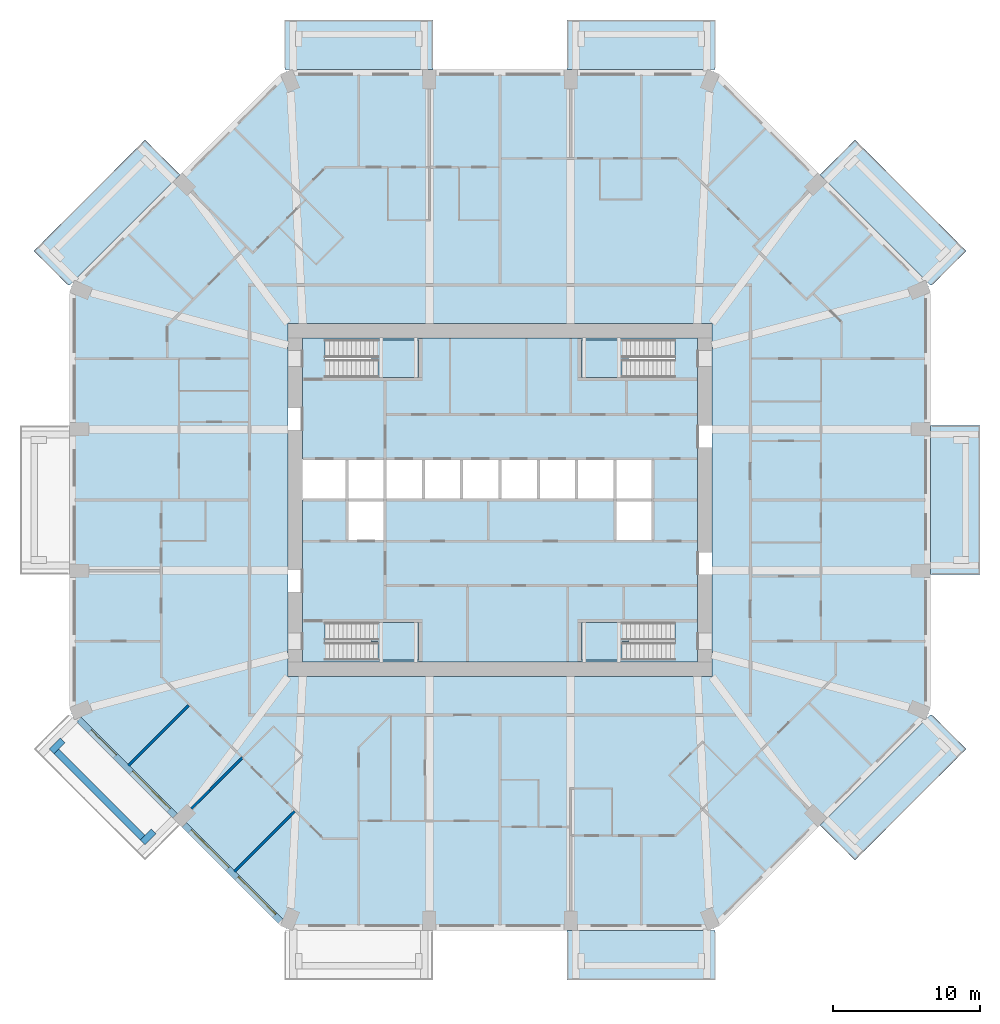
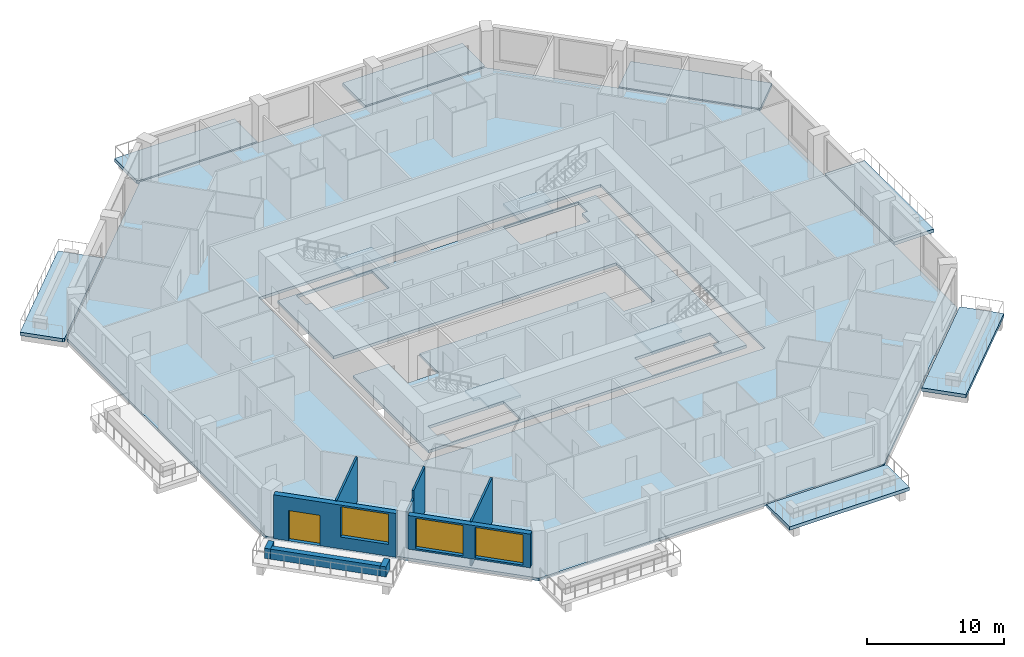
# One storey, part 2 of 13: 13 slabs, 9 walls, 3 windows, 1 door, 4 openings, 4 elements without a shape of their own.
"""IFC4 building model written with IfcOpenShell, lengths in metres."""

from ifc_helpers import new_model, si_unit, direction, frame, frame_2d, origin, place, context, subcontext, project, spatial, polyline, rectangle, outline, extrude, material, layer, layer_set, type_object, element, fill, aggregate, save


model = new_model("IFC4")

# Units and contexts
model_context = context("Model", 3, precision=1e-05, world=origin(), true_north=direction((0.0, 1.0)))
body_context = subcontext(model_context, "Body", "Model", "MODEL_VIEW")
ifc_project = project(units=[si_unit("LENGTHUNIT", "METRE"), si_unit("AREAUNIT", "SQUARE_METRE"), si_unit("VOLUMEUNIT", "CUBIC_METRE"), si_unit("PLANEANGLEUNIT", "RADIAN"), si_unit("MASSUNIT", "GRAM", prefix="KILO")], contexts=[model_context])

# Site, building, storey
site_placement = place(None, origin())
site = spatial("IfcSite", under=ifc_project, at=site_placement, CompositionType="ELEMENT")
building_placement = place(site_placement, origin())
building = spatial("IfcBuilding", under=site, at=building_placement, Name="Msitu Wima Residences", CompositionType="ELEMENT")
storey_placement = place(building_placement, frame((0.0, 0.0, 46.5)))
storey = spatial("IfcBuildingStorey", under=building, at=storey_placement, Name="L10", CompositionType="ELEMENT", Elevation=46.5)

# Slabs
ifc_material_1 = material(Name="Concrete C40/50", Category="concrete")
ifc_layer_1 = layer(ifc_material_1, 0.300048828125)
ifc_layer_set_1 = layer_set([ifc_layer_1], Name="Concrete C40/50")
slab_type_1 = type_object("IfcSlabType", Name="Balcony slab BS300", PredefinedType="FLOOR", material=ifc_layer_set_1)
slab_1_placement = place(storey_placement, frame((0.0, 0.0, -0.300048828125)))
element("IfcSlab", 1, at=slab_1_placement, inside=storey, type_object=slab_type_1, Name="Balcony E1 L10", PredefinedType="FLOOR", context=body_context, shape_type="SweptSolid", body=[
    extrude(outline(polyline([(29.25, -4.35009765625), (29.25, 4.35009765625), (29.25, 5.050048828125), (32.60009765625, 5.050048828125), (32.60009765625, -5.050048828125), (29.25, -5.050048828125), (29.25, -4.35009765625)])), origin(), (0.0, 0.0, 1.0), 0.300048828125),
])
slab_2_placement = place(storey_placement, frame((0.0, 0.0, -0.300048828125)))
element("IfcSlab", 2, at=slab_2_placement, inside=storey, type_object=slab_type_1, Name="Balcony NE0 L10", PredefinedType="FLOOR", context=body_context, shape_type="SweptSolid", body=[
    extrude(outline(polyline([(24.1103515625, 24.4638671875), (31.663818359375, 16.91015625), (29.403564453125, 14.64990234375), (29.25, 14.58642578125), (21.741455078125, 22.094970703125), (24.1103515625, 24.4638671875)])), origin(), (0.0, 0.0, 1.0), 0.300048828125),
])
slab_3_placement = place(storey_placement, frame((0.0, 0.0, -0.300048828125)))
element("IfcSlab", 3, at=slab_3_placement, inside=storey, type_object=slab_type_1, Name="Balcony N0 L10", PredefinedType="FLOOR", context=body_context, shape_type="SweptSolid", body=[
    extrude(outline(polyline([(14.099365234375, 29.25), (14.099365234375, 29.25), (5.25, 29.25), (4.550048828125, 29.25), (4.550048828125, 32.60009765625), (14.64990234375, 32.60009765625), (14.64990234375, 29.403564453125), (14.58642578125, 29.25), (14.099365234375, 29.25), (14.099365234375, 29.25)])), origin(), (0.0, 0.0, 1.0), 0.300048828125),
])
slab_4_placement = place(storey_placement, frame((0.0, 0.0, -0.300048828125)))
element("IfcSlab", 4, at=slab_4_placement, inside=storey, type_object=slab_type_1, Name="Balcony N2 L10", PredefinedType="FLOOR", context=body_context, shape_type="SweptSolid", body=[
    extrude(outline(polyline([(-14.099365234375, 29.25), (-14.099365234375, 29.25), (-14.099365234375, 29.25), (-14.58642578125, 29.25), (-14.64990234375, 29.403564453125), (-14.64990234375, 32.60009765625), (-4.550048828125, 32.60009765625), (-4.550048828125, 29.25), (-5.25, 29.25), (-14.099365234375, 29.25)])), origin(), (0.0, 0.0, 1.0), 0.300048828125),
])
slab_5_placement = place(storey_placement, frame((0.0, 0.0, -0.300048828125)))
element("IfcSlab", 5, at=slab_5_placement, inside=storey, type_object=slab_type_1, Name="Balcony NW1 L10", PredefinedType="FLOOR", context=body_context, shape_type="SweptSolid", body=[
    extrude(outline(polyline([(-31.663818359375, 16.91015625), (-24.1103515625, 24.4638671875), (-21.741455078125, 22.094970703125), (-29.25, 14.58642578125), (-29.403564453125, 14.64990234375), (-31.663818359375, 16.91015625)])), origin(), (0.0, 0.0, 1.0), 0.300048828125),
])
slab_6_placement = place(storey_placement, frame((0.0, 0.0, -0.300048828125)))
element("IfcSlab", 6, at=slab_6_placement, inside=storey, type_object=slab_type_1, Name="Balcony S2 L10", PredefinedType="FLOOR", context=body_context, shape_type="SweptSolid", body=[
    extrude(outline(polyline([(14.099365234375, -29.25), (14.099365234375, -29.25), (14.099365234375, -29.25), (14.58642578125, -29.25), (14.64990234375, -29.403564453125), (14.64990234375, -32.60009765625), (4.550048828125, -32.60009765625), (4.550048828125, -29.25), (5.25, -29.25), (14.099365234375, -29.25)])), origin(), (0.0, 0.0, 1.0), 0.300048828125),
])
slab_7_placement = place(storey_placement, frame((0.0, 0.0, -0.300048828125)))
element("IfcSlab", 7, at=slab_7_placement, inside=storey, type_object=slab_type_1, Name="Balcony SE1 L10", PredefinedType="FLOOR", context=body_context, shape_type="SweptSolid", body=[
    extrude(outline(polyline([(31.663818359375, -16.91015625), (24.1103515625, -24.4638671875), (21.741455078125, -22.094970703125), (29.25, -14.58642578125), (29.403564453125, -14.64990234375), (31.663818359375, -16.91015625)])), origin(), (0.0, 0.0, 1.0), 0.300048828125),
])
ifc_layer_2 = layer(ifc_material_1, 0.25)
ifc_layer_set_2 = layer_set([ifc_layer_2], Name="Concrete C40/50")
slab_type_2 = type_object("IfcSlabType", Name="Core floor CF250", PredefinedType="FLOOR", material=ifc_layer_set_2)
slab_8_placement = place(storey_placement, frame((0.0, 0.0, -0.25)))
element("IfcSlab", 8, at=slab_8_placement, inside=storey, type_object=slab_type_2, Name="Core floor", PredefinedType="FLOOR", context=body_context, shape_type="SweptSolid", body=[
    extrude(outline(polyline([(-13.39990234375, 11.0), (-13.39990234375, 2.800048828125), (-10.39990234375, 2.800048828125), (-7.800048828125, 2.800048828125), (-5.199951171875, 2.800048828125), (-2.60009765625, 2.800048828125), (0.0, 2.800048828125), (2.60009765625, 2.800048828125), (5.199951171875, 2.800048828125), (7.800048828125, 2.800048828125), (10.39990234375, 2.800048828125), (10.39990234375, 0.0), (10.39990234375, -2.800048828125), (7.800048828125, -2.800048828125), (7.800048828125, 0.0), (5.199951171875, 0.0), (2.60009765625, 0.0), (0.0, 0.0), (-2.60009765625, 0.0), (-5.199951171875, 0.0), (-7.800048828125, 0.0), (-7.800048828125, -2.800048828125), (-10.39990234375, -2.800048828125), (-10.39990234375, 0.0), (-13.39990234375, 0.0), (-13.39990234375, -11.0), (13.39990234375, -11.0), (13.39990234375, 11.0), (-13.39990234375, 11.0)]), holes=[polyline([(-11.375, -10.875), (-11.375, -9.675048828125), (-11.87451171875, -9.675048828125), (-11.87451171875, -8.324951171875), (-5.52490234375, -8.324951171875), (-5.52490234375, -10.875), (-11.375, -10.875)]), polyline([(-11.375, 9.52490234375), (-11.87451171875, 9.52490234375), (-11.87451171875, 10.875), (-5.52490234375, 10.875), (-5.52490234375, 8.324951171875), (-11.375, 8.324951171875), (-11.375, 9.52490234375)]), polyline([(11.375, -9.675048828125), (11.375, -10.875), (5.52490234375, -10.875), (5.52490234375, -8.324951171875), (11.87451171875, -8.324951171875), (11.87451171875, -9.675048828125), (11.375, -9.675048828125)]), polyline([(11.375, 9.52490234375), (11.375, 8.324951171875), (5.52490234375, 8.324951171875), (5.52490234375, 10.875), (11.87451171875, 10.875), (11.87451171875, 9.52490234375), (11.375, 9.52490234375)])]), origin(), (0.0, 0.0, 1.0), 0.25),
])
ifc_layer_3 = layer(ifc_material_1, 0.25)
ifc_layer_set_3 = layer_set([ifc_layer_3], Name="Concrete C40/50")
slab_type_3 = type_object("IfcSlabType", Name="PT flat slab 250 Concrete C40/50", PredefinedType="FLOOR", material=ifc_layer_set_3)
slab_9_placement = place(storey_placement, frame((0.0, 0.0, -0.25)))
element("IfcSlab", 9, at=slab_9_placement, inside=storey, type_object=slab_type_3, Name="Floor slab L10", PredefinedType="FLOOR", context=body_context, shape_type="SweptSolid", body=[
    extrude(outline(polyline([(29.10009765625, -14.524169921875), (14.524169921875, -29.10009765625), (-14.524169921875, -29.10009765625), (-29.10009765625, -14.524169921875), (-29.10009765625, 14.524169921875), (-14.524169921875, 29.10009765625), (14.524169921875, 29.10009765625), (29.10009765625, 14.524169921875), (29.10009765625, -14.524169921875)]), holes=[polyline([(-14.39990234375, -12.0), (14.39990234375, -12.0), (14.39990234375, 12.0), (-14.39990234375, 12.0), (-14.39990234375, -12.0)])]), origin(), (0.0, 0.0, 1.0), 0.25),
])

# Stair, slab
stair_type = type_object("IfcStairType", Name="Exit stair ES1615-120", PredefinedType="HALF_TURN_STAIR", material=ifc_material_1)
stair_1_placement = place(storey_placement, origin())
stair_1 = element("IfcStair", 10, at=stair_1_placement, inside=storey, type_object=stair_type, Name="Exit stair 1", PredefinedType="HALF_TURN_STAIR")
ifc_layer_4 = layer(ifc_material_1, 0.199951171875)
ifc_layer_set_4 = layer_set([ifc_layer_4], Name="Concrete C40/50")
slab_type_4 = type_object("IfcSlabType", Name="Stair landing SL200", PredefinedType="LANDING", material=ifc_layer_set_4)
slab_10_placement = place(storey_placement, frame((0.0, 0.0, 1.89990234375)))
slab_10 = element("IfcSlab", 11, at=slab_10_placement, type_object=slab_type_4, Name="S1 landing 1", PredefinedType="LANDING", context=body_context, shape_type="SweptSolid", body=[
    extrude(outline(polyline([(-5.52490234375, 8.324951171875), (-8.275390625, 8.324951171875), (-8.275390625, 9.60009765625), (-8.77490234375, 9.60009765625), (-8.77490234375, 10.875), (-5.52490234375, 10.875), (-5.52490234375, 8.324951171875)])), origin(), (0.0, 0.0, 1.0), 0.2001953125),
])
aggregate(stair_1, [slab_10])

stair_2_placement = place(storey_placement, origin())
stair_2 = element("IfcStair", 12, at=stair_2_placement, inside=storey, type_object=stair_type, Name="Exit stair 2", PredefinedType="HALF_TURN_STAIR")
slab_11_placement = place(storey_placement, frame((0.0, 0.0, 1.89990234375)))
slab_11 = element("IfcSlab", 13, at=slab_11_placement, type_object=slab_type_4, Name="S2 landing 1", PredefinedType="LANDING", context=body_context, shape_type="SweptSolid", body=[
    extrude(outline(polyline([(-5.52490234375, -10.875), (-8.275390625, -10.875), (-8.275390625, -9.60009765625), (-8.77490234375, -9.60009765625), (-8.77490234375, -8.324951171875), (-5.52490234375, -8.324951171875), (-5.52490234375, -10.875)])), origin(), (0.0, 0.0, 1.0), 0.2001953125),
])
aggregate(stair_2, [slab_11])

stair_3_placement = place(storey_placement, origin())
stair_3 = element("IfcStair", 14, at=stair_3_placement, inside=storey, type_object=stair_type, Name="Exit stair 3", PredefinedType="HALF_TURN_STAIR")
slab_12_placement = place(storey_placement, frame((0.0, 0.0, 1.89990234375)))
slab_12 = element("IfcSlab", 15, at=slab_12_placement, type_object=slab_type_4, Name="S3 landing 1", PredefinedType="LANDING", context=body_context, shape_type="SweptSolid", body=[
    extrude(outline(polyline([(5.52490234375, 8.324951171875), (8.275390625, 8.324951171875), (8.275390625, 9.60009765625), (8.77490234375, 9.60009765625), (8.77490234375, 10.875), (5.52490234375, 10.875), (5.52490234375, 8.324951171875)])), origin(), (0.0, 0.0, 1.0), 0.2001953125),
])
aggregate(stair_3, [slab_12])

stair_4_placement = place(storey_placement, origin())
stair_4 = element("IfcStair", 16, at=stair_4_placement, inside=storey, type_object=stair_type, Name="Exit stair 4", PredefinedType="HALF_TURN_STAIR")
slab_13_placement = place(storey_placement, frame((0.0, 0.0, 1.89990234375)))
slab_13 = element("IfcSlab", 17, at=slab_13_placement, type_object=slab_type_4, Name="S4 landing 1", PredefinedType="LANDING", context=body_context, shape_type="SweptSolid", body=[
    extrude(outline(polyline([(5.52490234375, -10.875), (8.275390625, -10.875), (8.275390625, -9.60009765625), (8.77490234375, -9.60009765625), (8.77490234375, -8.324951171875), (5.52490234375, -8.324951171875), (5.52490234375, -10.875)])), origin(), (0.0, 0.0, 1.0), 0.2001953125),
])
aggregate(stair_4, [slab_13])

# Walls
ifc_material_2 = material(Name="Facing brick")
ifc_layer_5 = layer(ifc_material_2, 0.06494140625, Name="Facing brick")
ifc_layer_6 = layer(ifc_material_1, 0.156005859375, Name="Concrete C40/50")
ifc_material_3 = material(Name="Waterproofing membrane")
ifc_layer_7 = layer(ifc_material_3, 0.00390625, Name="Waterproofing membrane")
ifc_material_4 = material(Name="Planting soil and planting")
ifc_layer_8 = layer(ifc_material_4, 0.22509765625, Name="Planting soil and planting")
ifc_layer_set_5 = layer_set([ifc_layer_5, ifc_layer_6, ifc_layer_7, ifc_layer_8], Name="Concrete C40/50")
wall_type_1 = type_object("IfcWallType", Name="Balcony planter PLANTER PL450", PredefinedType="USERDEFINED", material=ifc_layer_set_5)
wall_1_placement = place(storey_placement, frame((-30.125732421875, -17.0693359375, 0.0), z_axis=(0.0, 0.0, 1.0), x_axis=(0.707106781187, -0.707106781187, 0.0)))
element("IfcWall", 18, at=wall_1_placement, inside=storey, type_object=wall_type_1, Name="Balcony planter SW0 L10", ObjectType="PLANTER", PredefinedType="USERDEFINED", context=body_context, shape_type="SweptSolid", body=[
    extrude(rectangle(XDim=8.2822265625, YDim=0.449951171875, at=frame_2d((4.14111328125, 0.0))), origin(), (0.0, 0.0, 1.0), 0.89990234375),
])
for number, where, z_axis, x_axis, name in (
    (19, (-29.70166015625, -16.326904296875, 0.0), (0.0, 0.0, 1.0), (-0.707106781187, -0.707106781187, 0.0), "Balcony planter SW0 L10"),
    (20, (-23.52685546875, -22.50146484375, 0.0), (0.0, 0.0, 1.0), (-0.706990528533, -0.707223014731, 0.0), "Balcony planter SW0 L10"),
):
    element("IfcWall", number, at=place(storey_placement, frame(where, z_axis=z_axis, x_axis=x_axis)), inside=storey, type_object=wall_type_1, Name=name, ObjectType="PLANTER", PredefinedType="USERDEFINED", context=body_context, shape_type="SweptSolid", body=[
        extrude(rectangle(XDim=1.050048828125, YDim=0.449951171875, at=frame_2d((0.52490234375, 0.0))), origin(), (0.0, 0.0, 1.0), 0.89990234375),
    ])

# Wall, openings, door, window
ifc_material_5 = material(Name="Brick (red buff mix)", Category="masonry")
ifc_layer_9 = layer(ifc_material_5, 0.449951171875)
ifc_layer_set_6 = layer_set([ifc_layer_9], Name="Brick (red buff mix)")
wall_type_2 = type_object("IfcWallType", Name="Brick infill wall BW450", PredefinedType="SOLIDWALL", material=ifc_layer_set_6)
wall_2_placement = place(storey_placement, frame((-28.61474609375, -14.903564453125, 0.0), z_axis=(0.0, 0.0, 1.0), x_axis=(0.707106781187, -0.707106781187, 0.0)))
wall_2 = element("IfcWall", 21, at=wall_2_placement, inside=storey, type_object=wall_type_2, Name="Brick infill wall L10 SW0", PredefinedType="SOLIDWALL", context=body_context, shape_type="SweptSolid", body=[
    extrude(rectangle(XDim=9.2451171875, YDim=0.449951171875, at=frame_2d((4.62255859375, 0.0))), origin(), (0.0, 0.0, 1.0), 3.89990234375),
])
opening_1_placement = place(wall_2_placement, frame((1.111328125, 0.0, 0.0)))
opening_1 = element("IfcOpeningElement", 22, at=opening_1_placement, cuts=wall_2, Name="Opening D08-10.009", PredefinedType="OPENING", context=body_context, shape_type="SweptSolid", body=[
    extrude(rectangle(XDim=2.39990234375, YDim=2.699951171875, at=frame_2d((1.199951171875, 1.35009765625))), frame((0.0, 0.23486328125, 0.0), z_axis=(0.0, -1.0, 0.0), x_axis=(1.0, 0.0, 0.0)), (0.0, 0.0, 1.0), 0.469970703125),
])
opening_2_placement = place(wall_2_placement, frame((5.072509765625, 0.0, 1.050048828125)))
opening_2 = element("IfcOpeningElement", 23, at=opening_2_placement, cuts=wall_2, Name="Opening W08-10.023", PredefinedType="OPENING", context=body_context, shape_type="SweptSolid", body=[
    extrude(rectangle(XDim=3.60009765625, YDim=2.699951171875, at=frame_2d((1.800048828125, 1.35009765625))), frame((0.0, 0.23486328125, 0.0), z_axis=(0.0, -1.0, 0.0), x_axis=(1.0, 0.0, 0.0)), (0.0, 0.0, 1.0), 0.469970703125),
])
ifc_material_6 = material(Name="Anodised aluminium, bronze finish, clear low-emissivity double glazing", Category="aluminium")
door_type = type_object("IfcDoorType", Name="Balcony door D2400x2700", OperationType="SLIDING_TO_LEFT", PredefinedType="DOOR", material=ifc_material_6)
door_placement = place(opening_1_placement, origin())
door = element("IfcDoor", 24, at=door_placement, inside=storey, type_object=door_type, Name="Balcony door L10 SW0", OperationType="SINGLE_SWING_LEFT", OverallHeight=2.699951171875, OverallWidth=2.39990234375, PredefinedType="DOOR", context=body_context, shape_type="SweptSolid", body=[
    extrude(rectangle(XDim=2.39990234375, YDim=2.699951171875, at=frame_2d((1.199951171875, 1.35009765625))), frame((0.0, 0.1298828125, 0.0), z_axis=(0.0, -1.0, 0.0), x_axis=(1.0, 0.0, 0.0)), (0.0, 0.0, 1.0), 0.050048828125),
])
fill(opening_1, door)
window_type = type_object("IfcWindowType", Name="Window W3600x2700", PartitioningType="DOUBLE_PANEL_VERTICAL", PredefinedType="WINDOW", material=ifc_material_6)
window_1_placement = place(opening_2_placement, origin())
window_1 = element("IfcWindow", 25, at=window_1_placement, inside=storey, type_object=window_type, Name="Window L10 SW0.2", OverallHeight=2.699951171875, OverallWidth=3.60009765625, PartitioningType="SINGLE_PANEL", PredefinedType="WINDOW", context=body_context, shape_type="SweptSolid", body=[
    extrude(rectangle(XDim=3.60009765625, YDim=2.699951171875, at=frame_2d((1.800048828125, 1.35009765625))), frame((0.0, 0.135009765625, 0.0), z_axis=(0.0, -1.0, 0.0), x_axis=(1.0, 0.0, 0.0)), (0.0, 0.0, 1.0), 0.06005859375),
])
fill(opening_2, window_1)

# Wall, openings, windows
wall_3_placement = place(storey_placement, frame((-21.44091796875, -22.077392578125, 0.89990234375), z_axis=(0.0, 0.0, 1.0), x_axis=(0.707106781187, -0.707106781187, 0.0)))
wall_3 = element("IfcWall", 26, at=wall_3_placement, inside=storey, type_object=wall_type_2, Name="Brick infill wall L10 SW1", PredefinedType="SOLIDWALL", context=body_context, shape_type="SweptSolid", body=[
    extrude(rectangle(XDim=9.2451171875, YDim=0.449951171875, at=frame_2d((4.62255859375, 0.0))), origin(), (0.0, 0.0, 1.0), 3.0),
])
opening_3_placement = place(wall_3_placement, frame((0.572509765625, 0.0, 0.14990234375)))
opening_3 = element("IfcOpeningElement", 27, at=opening_3_placement, cuts=wall_3, Name="Opening W08-10.024", PredefinedType="OPENING", context=body_context, shape_type="SweptSolid", body=[
    extrude(rectangle(XDim=3.60009765625, YDim=2.699951171875, at=frame_2d((1.800048828125, 1.35009765625))), frame((0.0, 0.23486328125, 0.0), z_axis=(0.0, -1.0, 0.0), x_axis=(1.0, 0.0, 0.0)), (0.0, 0.0, 1.0), 0.469970703125),
])
opening_4_placement = place(wall_3_placement, frame((5.072509765625, 0.0, 0.14990234375)))
opening_4 = element("IfcOpeningElement", 28, at=opening_4_placement, cuts=wall_3, Name="Opening W08-10.025", PredefinedType="OPENING", context=body_context, shape_type="SweptSolid", body=[
    extrude(rectangle(XDim=3.60009765625, YDim=2.699951171875, at=frame_2d((1.800048828125, 1.35009765625))), frame((0.0, 0.23486328125, 0.0), z_axis=(0.0, -1.0, 0.0), x_axis=(1.0, 0.0, 0.0)), (0.0, 0.0, 1.0), 0.469970703125),
])
window_2_placement = place(opening_3_placement, origin())
window_2 = element("IfcWindow", 29, at=window_2_placement, inside=storey, type_object=window_type, Name="Window L10 SW1.1", OverallHeight=2.699951171875, OverallWidth=3.60009765625, PartitioningType="SINGLE_PANEL", PredefinedType="WINDOW", context=body_context, shape_type="SweptSolid", body=[
    extrude(rectangle(XDim=3.60009765625, YDim=2.699951171875, at=frame_2d((1.800048828125, 1.35009765625))), frame((0.0, 0.135009765625, 0.0), z_axis=(0.0, -1.0, 0.0), x_axis=(1.0, 0.0, 0.0)), (0.0, 0.0, 1.0), 0.06005859375),
])
fill(opening_3, window_2)
window_3_placement = place(opening_4_placement, origin())
window_3 = element("IfcWindow", 30, at=window_3_placement, inside=storey, type_object=window_type, Name="Window L10 SW1.2", OverallHeight=2.699951171875, OverallWidth=3.60009765625, PartitioningType="SINGLE_PANEL", PredefinedType="WINDOW", context=body_context, shape_type="SweptSolid", body=[
    extrude(rectangle(XDim=3.60009765625, YDim=2.699951171875, at=frame_2d((1.800048828125, 1.35009765625))), frame((0.0, 0.135009765625, 0.0), z_axis=(0.0, -1.0, 0.0), x_axis=(1.0, 0.0, 0.0)), (0.0, 0.0, 1.0), 0.06005859375),
])
fill(opening_4, window_3)

# Walls
ifc_material_7 = material(Name="Plaster")
ifc_layer_10 = layer(ifc_material_7, 0.011962890625, Name="Plaster")
ifc_material_8 = material(Name="Concrete blockwork", Category="masonry")
ifc_layer_11 = layer(ifc_material_8, 0.1259765625, Name="Concrete blockwork")
ifc_layer_12 = layer(ifc_material_7, 0.011962890625, Name="Plaster")
ifc_layer_set_7 = layer_set([ifc_layer_10, ifc_layer_11, ifc_layer_12], Name="Concrete blockwork")
wall_type_3 = type_object("IfcWallType", Name="Partition PW150", PredefinedType="PARTITIONING", material=ifc_layer_set_7)
wall_4_placement = place(storey_placement, frame((-25.23876953125, -18.038818359375, 0.0), z_axis=(0.0, 0.0, 1.0), x_axis=(0.707106781187, 0.707106781187, 0.0)))
element("IfcWall", 31, at=wall_4_placement, inside=storey, type_object=wall_type_3, Name="Partition", PredefinedType="PARTITIONING", context=body_context, shape_type="SweptSolid", body=[
    extrude(rectangle(XDim=5.77978515625, YDim=0.14990234375, at=frame_2d((2.889892578125, 0.0))), origin(), (0.0, 0.0, 1.0), 3.949951171875),
])
wall_5_placement = place(storey_placement, frame((-20.963623046875, -20.963623046875, 0.0), z_axis=(0.0, 0.0, 1.0), x_axis=(0.707106781187, 0.707106781187, 0.0)))
element("IfcWall", 32, at=wall_5_placement, inside=storey, type_object=wall_type_3, Name="Partition", PredefinedType="PARTITIONING", context=body_context, shape_type="SweptSolid", body=[
    extrude(rectangle(XDim=1.74853515625, YDim=0.14990234375, at=frame_2d((0.874267578125, 0.0))), origin(), (0.0, 0.0, 1.0), 3.25),
])
wall_6_placement = place(storey_placement, frame((-19.727294921875, -19.727294921875, 0.0), z_axis=(0.0, 0.0, 1.0), x_axis=(0.707106781187, 0.707106781187, 0.0)))
element("IfcWall", 33, at=wall_6_placement, inside=storey, type_object=wall_type_3, Name="Partition", PredefinedType="PARTITIONING", context=body_context, shape_type="SweptSolid", body=[
    extrude(rectangle(XDim=3.171630859375, YDim=0.14990234375, at=frame_2d((1.5859375, 0.0))), origin(), (0.0, 0.0, 1.0), 3.949951171875),
])
wall_7_placement = place(storey_placement, frame((-18.038818359375, -25.23876953125, 0.0), z_axis=(0.0, 0.0, 1.0), x_axis=(0.707106781187, 0.707106781187, 0.0)))
element("IfcWall", 34, at=wall_7_placement, inside=storey, type_object=wall_type_3, Name="Partition", PredefinedType="PARTITIONING", context=body_context, shape_type="SweptSolid", body=[
    extrude(rectangle(XDim=5.77978515625, YDim=0.14990234375, at=frame_2d((2.889892578125, 0.0))), origin(), (0.0, 0.0, 1.0), 3.949951171875),
])

save(model, "model.ifc")
